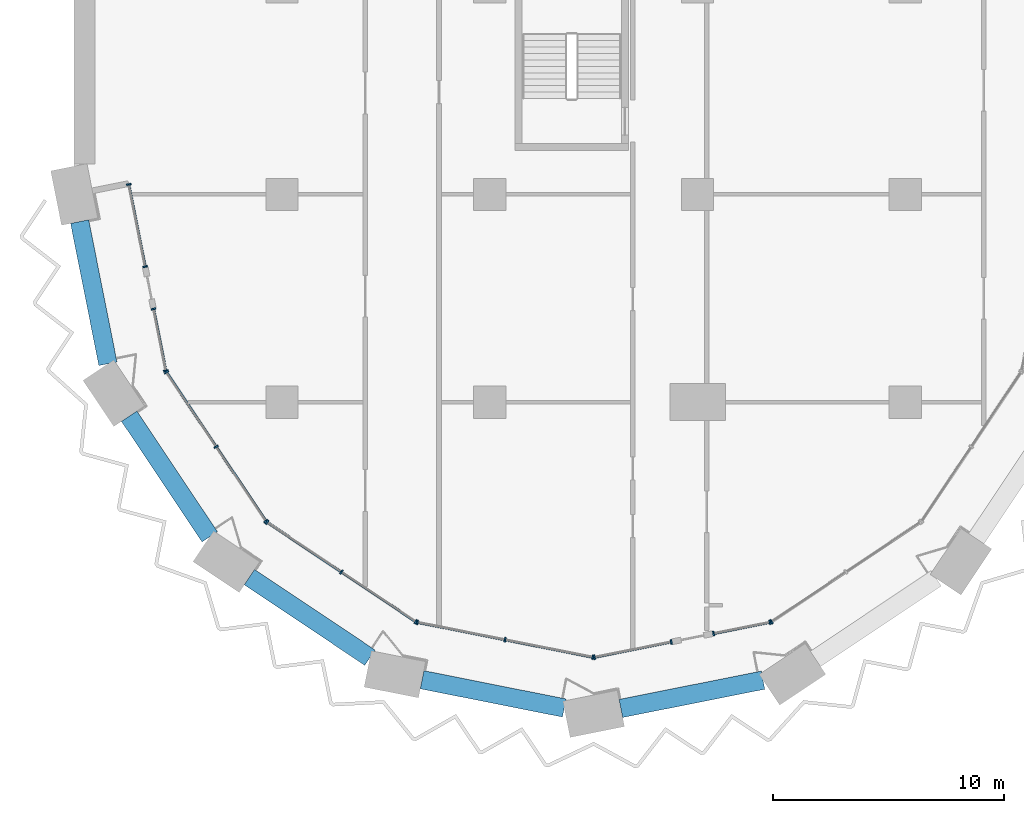
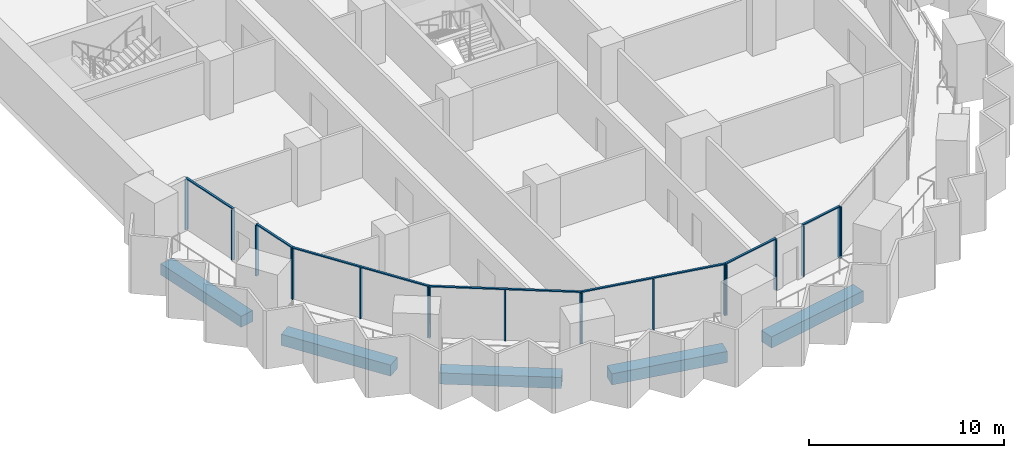
# One storey, part 2 of 28: 25 members, 5 beams, 8 elements without a shape of their own.
"""IFC4 building model written with IfcOpenShell, lengths in metres."""

from ifc_helpers import new_model, si_unit, direction, frame, origin, origin_2d, place, context, subcontext, project, spatial, rectangle, extrude, material, material_profile, profile_set, type_object, element, aggregate, save


model = new_model("IFC4")

# Units and contexts
model_context = context("Model", 3, precision=1e-05, world=origin(), true_north=direction((0.0, 1.0)))
body_context = subcontext(model_context, "Body", "Model", "MODEL_VIEW")
ifc_project = project(units=[si_unit("LENGTHUNIT", "METRE"), si_unit("AREAUNIT", "SQUARE_METRE"), si_unit("VOLUMEUNIT", "CUBIC_METRE"), si_unit("PLANEANGLEUNIT", "RADIAN"), si_unit("MASSUNIT", "GRAM", prefix="KILO")], contexts=[model_context])

# Site, building, storey
site_placement = place(None, origin())
site = spatial("IfcSite", under=ifc_project, at=site_placement, CompositionType="ELEMENT")
building_placement = place(site_placement, origin())
building = spatial("IfcBuilding", under=site, at=building_placement, Name="Hunhe Ridgeline Campus", CompositionType="ELEMENT")
storey_placement = place(building_placement, frame((0.0, 0.0, 76.5)))
storey = spatial("IfcBuildingStorey", under=building, at=storey_placement, Name="L18", CompositionType="ELEMENT", Elevation=76.5)

# Curtain wall, members
ifc_material_1 = material(Name="Aluminium 6063", Category="aluminium")
curtain_wall_type = type_object("IfcCurtainWallType", Name="Curtain wall CW-5", PredefinedType="NOTDEFINED", material=ifc_material_1)
curtain_wall_1_placement = place(storey_placement, origin())
curtain_wall_1 = element("IfcCurtainWall", 1, at=curtain_wall_1_placement, inside=storey, type_object=curtain_wall_type, Name="Curtain wall 01", PredefinedType="NOTDEFINED")
ifc_material_profile_1 = material_profile(ifc_material_1, rectangle(XDim=0.199951171875, YDim=0.070068359375, at=origin_2d()))
ifc_profile_set_1 = profile_set([ifc_material_profile_1], Name="Aluminium 6063")
member_type_1 = type_object("IfcMemberType", Name="CW-5 aluminium mullion", PredefinedType="MULLION", material=ifc_profile_set_1)
member_1_placement = place(storey_placement, frame((2.361572265625, 27.434326171875, 0.0), z_axis=(0.0, 0.0, 1.0), x_axis=(0.980784284924, 0.195095326561, 0.0)))
member_1 = element("IfcMember", 2, at=member_1_placement, type_object=member_type_1, Name="CW-5 mullion 1", PredefinedType="MULLION", context=body_context, shape_type="SweptSolid", body=[
    extrude(rectangle(XDim=0.199951171875, YDim=0.070068359375, at=origin_2d()), origin(), (0.0, 0.0, 1.0), 3.179931640625),
])
member_2_placement = place(storey_placement, frame((3.070068359375, 23.873291015625, 0.0), z_axis=(0.0, 0.0, 1.0), x_axis=(0.980784284924, 0.195095326561, 0.0)))
member_2 = element("IfcMember", 3, at=member_2_placement, type_object=member_type_1, Name="CW-5 mullion 2", PredefinedType="MULLION", context=body_context, shape_type="SweptSolid", body=[
    extrude(rectangle(XDim=0.199951171875, YDim=0.070068359375, at=origin_2d()), origin(), (0.0, 0.0, 1.0), 3.179931640625),
])

curtain_wall_2_placement = place(storey_placement, origin())
curtain_wall_2 = element("IfcCurtainWall", 4, at=curtain_wall_2_placement, inside=storey, type_object=curtain_wall_type, Name="Curtain wall 02", PredefinedType="NOTDEFINED")
member_3_placement = place(storey_placement, frame((3.434814453125, 22.0390625, 0.0), z_axis=(0.0, 0.0, 1.0), x_axis=(0.980784297053, 0.195095265587, 0.0)))
member_3 = element("IfcMember", 5, at=member_3_placement, type_object=member_type_1, Name="CW-5 mullion 1", PredefinedType="MULLION", context=body_context, shape_type="SweptSolid", body=[
    extrude(rectangle(XDim=0.199951171875, YDim=0.070068359375, at=origin_2d()), origin(), (0.0, 0.0, 1.0), 3.179931640625),
])
member_4_placement = place(storey_placement, frame((3.967529296875, 19.36083984375, 0.0), z_axis=(0.0, 0.0, 1.0), x_axis=(0.980784297053, 0.195095265587, 0.0)))
member_4 = element("IfcMember", 6, at=member_4_placement, type_object=member_type_1, Name="CW-5 mullion 2", PredefinedType="MULLION", context=body_context, shape_type="SweptSolid", body=[
    extrude(rectangle(XDim=0.199951171875, YDim=0.070068359375, at=origin_2d()), origin(), (0.0, 0.0, 1.0), 3.179931640625),
])

curtain_wall_3_placement = place(storey_placement, origin())
curtain_wall_3 = element("IfcCurtainWall", 7, at=curtain_wall_3_placement, inside=storey, type_object=curtain_wall_type, Name="Curtain wall 03", PredefinedType="NOTDEFINED")
member_5_placement = place(storey_placement, frame((3.993896484375, 19.29736328125, 0.0), z_axis=(0.0, 0.0, 1.0), x_axis=(0.831469584522, 0.555570274596, 0.0)))
member_5 = element("IfcMember", 8, at=member_5_placement, type_object=member_type_1, Name="CW-5 mullion 1", PredefinedType="MULLION", context=body_context, shape_type="SweptSolid", body=[
    extrude(rectangle(XDim=0.199951171875, YDim=0.070068359375, at=origin_2d()), origin(), (0.0, 0.0, 1.0), 3.179931640625),
])
member_6_placement = place(storey_placement, frame((6.147705078125, 16.07373046875, 0.0), z_axis=(0.0, 0.0, 1.0), x_axis=(0.831469584522, 0.555570274596, 0.0)))
member_6 = element("IfcMember", 9, at=member_6_placement, type_object=member_type_1, Name="CW-5 mullion 2", PredefinedType="MULLION", context=body_context, shape_type="SweptSolid", body=[
    extrude(rectangle(XDim=0.199951171875, YDim=0.070068359375, at=origin_2d()), origin(), (0.0, 0.0, 1.0), 3.179931640625),
])
member_7_placement = place(storey_placement, frame((8.3017578125, 12.850341796875, 0.0), z_axis=(0.0, 0.0, 1.0), x_axis=(0.831469584522, 0.555570274596, 0.0)))
member_7 = element("IfcMember", 10, at=member_7_placement, type_object=member_type_1, Name="CW-5 mullion 3", PredefinedType="MULLION", context=body_context, shape_type="SweptSolid", body=[
    extrude(rectangle(XDim=0.199951171875, YDim=0.070068359375, at=origin_2d()), origin(), (0.0, 0.0, 1.0), 3.179931640625),
])

curtain_wall_4_placement = place(storey_placement, origin())
curtain_wall_4 = element("IfcCurtainWall", 11, at=curtain_wall_4_placement, inside=storey, type_object=curtain_wall_type, Name="Curtain wall 04", PredefinedType="NOTDEFINED")
member_8_placement = place(storey_placement, frame((8.350341796875, 12.8017578125, 0.0), z_axis=(0.0, 0.0, 1.0), x_axis=(0.555570274596, 0.831469584522, 0.0)))
member_8 = element("IfcMember", 12, at=member_8_placement, type_object=member_type_1, Name="CW-5 mullion 1", PredefinedType="MULLION", context=body_context, shape_type="SweptSolid", body=[
    extrude(rectangle(XDim=0.199951171875, YDim=0.070068359375, at=origin_2d()), origin(), (0.0, 0.0, 1.0), 3.179931640625),
])
member_9_placement = place(storey_placement, frame((11.57373046875, 10.647705078125, 0.0), z_axis=(0.0, 0.0, 1.0), x_axis=(0.555570274596, 0.831469584522, 0.0)))
member_9 = element("IfcMember", 13, at=member_9_placement, type_object=member_type_1, Name="CW-5 mullion 2", PredefinedType="MULLION", context=body_context, shape_type="SweptSolid", body=[
    extrude(rectangle(XDim=0.199951171875, YDim=0.070068359375, at=origin_2d()), origin(), (0.0, 0.0, 1.0), 3.179931640625),
])
member_10_placement = place(storey_placement, frame((14.79736328125, 8.493896484375, 0.0), z_axis=(0.0, 0.0, 1.0), x_axis=(0.555570274596, 0.831469584522, 0.0)))
member_10 = element("IfcMember", 14, at=member_10_placement, type_object=member_type_1, Name="CW-5 mullion 3", PredefinedType="MULLION", context=body_context, shape_type="SweptSolid", body=[
    extrude(rectangle(XDim=0.199951171875, YDim=0.070068359375, at=origin_2d()), origin(), (0.0, 0.0, 1.0), 3.179931640625),
])

curtain_wall_5_placement = place(storey_placement, origin())
curtain_wall_5 = element("IfcCurtainWall", 15, at=curtain_wall_5_placement, inside=storey, type_object=curtain_wall_type, Name="Curtain wall 05", PredefinedType="NOTDEFINED")
member_11_placement = place(storey_placement, frame((14.86083984375, 8.467529296875, 0.0), z_axis=(0.0, 0.0, 1.0), x_axis=(0.195090347539, 0.980785275326, 0.0)))
member_11 = element("IfcMember", 16, at=member_11_placement, type_object=member_type_1, Name="CW-5 mullion 1", PredefinedType="MULLION", context=body_context, shape_type="SweptSolid", body=[
    extrude(rectangle(XDim=0.199951171875, YDim=0.070068359375, at=origin_2d()), origin(), (0.0, 0.0, 1.0), 3.179931640625),
])
member_12_placement = place(storey_placement, frame((18.663330078125, 7.711181640625, 0.0), z_axis=(0.0, 0.0, 1.0), x_axis=(0.195090347539, 0.980785275326, 0.0)))
member_12 = element("IfcMember", 17, at=member_12_placement, type_object=member_type_1, Name="CW-5 mullion 2", PredefinedType="MULLION", context=body_context, shape_type="SweptSolid", body=[
    extrude(rectangle(XDim=0.199951171875, YDim=0.070068359375, at=origin_2d()), origin(), (0.0, 0.0, 1.0), 3.179931640625),
])
member_13_placement = place(storey_placement, frame((22.465576171875, 6.954833984375, 0.0), z_axis=(0.0, 0.0, 1.0), x_axis=(0.195090347539, 0.980785275326, 0.0)))
member_13 = element("IfcMember", 18, at=member_13_placement, type_object=member_type_1, Name="CW-5 mullion 3", PredefinedType="MULLION", context=body_context, shape_type="SweptSolid", body=[
    extrude(rectangle(XDim=0.199951171875, YDim=0.070068359375, at=origin_2d()), origin(), (0.0, 0.0, 1.0), 3.179931640625),
])

curtain_wall_6_placement = place(storey_placement, origin())
curtain_wall_6 = element("IfcCurtainWall", 19, at=curtain_wall_6_placement, inside=storey, type_object=curtain_wall_type, Name="Curtain wall 06", PredefinedType="NOTDEFINED")
member_14_placement = place(storey_placement, frame((22.534423828125, 6.954833984375, 0.0), z_axis=(0.0, 0.0, 1.0), x_axis=(-0.19509037034, 0.980785270791, 0.0)))
member_14 = element("IfcMember", 20, at=member_14_placement, type_object=member_type_1, Name="CW-5 mullion 1", PredefinedType="MULLION", context=body_context, shape_type="SweptSolid", body=[
    extrude(rectangle(XDim=0.199951171875, YDim=0.070068359375, at=origin_2d()), origin(), (0.0, 0.0, 1.0), 3.179931640625),
])
member_15_placement = place(storey_placement, frame((25.861083984375, 7.61669921875, 0.0), z_axis=(0.0, 0.0, 1.0), x_axis=(-0.19509037034, 0.980785270791, 0.0)))
member_15 = element("IfcMember", 21, at=member_15_placement, type_object=member_type_1, Name="CW-5 mullion 2", PredefinedType="MULLION", context=body_context, shape_type="SweptSolid", body=[
    extrude(rectangle(XDim=0.199951171875, YDim=0.070068359375, at=origin_2d()), origin(), (0.0, 0.0, 1.0), 3.179931640625),
])

curtain_wall_7_placement = place(storey_placement, origin())
curtain_wall_7 = element("IfcCurtainWall", 22, at=curtain_wall_7_placement, inside=storey, type_object=curtain_wall_type, Name="Curtain wall 07", PredefinedType="NOTDEFINED")
member_16_placement = place(storey_placement, frame((27.695068359375, 7.9814453125, 0.0), z_axis=(0.0, 0.0, 1.0), x_axis=(-0.195090514627, 0.980785242091, 0.0)))
member_16 = element("IfcMember", 23, at=member_16_placement, type_object=member_type_1, Name="CW-5 mullion 1", PredefinedType="MULLION", context=body_context, shape_type="SweptSolid", body=[
    extrude(rectangle(XDim=0.199951171875, YDim=0.070068359375, at=origin_2d()), origin(), (0.0, 0.0, 1.0), 3.179931640625),
])
member_17_placement = place(storey_placement, frame((30.13916015625, 8.467529296875, 0.0), z_axis=(0.0, 0.0, 1.0), x_axis=(-0.195090514627, 0.980785242091, 0.0)))
member_17 = element("IfcMember", 24, at=member_17_placement, type_object=member_type_1, Name="CW-5 mullion 2", PredefinedType="MULLION", context=body_context, shape_type="SweptSolid", body=[
    extrude(rectangle(XDim=0.199951171875, YDim=0.070068359375, at=origin_2d()), origin(), (0.0, 0.0, 1.0), 3.179931640625),
])

# Curtain wall, member
curtain_wall_8_placement = place(storey_placement, origin())
curtain_wall_8 = element("IfcCurtainWall", 25, at=curtain_wall_8_placement, inside=storey, type_object=curtain_wall_type, Name="Curtain wall 08", PredefinedType="NOTDEFINED")
member_18_placement = place(storey_placement, frame((30.20263671875, 8.493896484375, 0.0), z_axis=(0.0, 0.0, 1.0), x_axis=(-0.555570274596, 0.831469584522, 0.0)))
member_18 = element("IfcMember", 26, at=member_18_placement, type_object=member_type_1, Name="CW-5 mullion 1", PredefinedType="MULLION", context=body_context, shape_type="SweptSolid", body=[
    extrude(rectangle(XDim=0.199951171875, YDim=0.070068359375, at=origin_2d()), origin(), (0.0, 0.0, 1.0), 3.179931640625),
])
aggregate(curtain_wall_8, [member_18])

# Member
ifc_material_profile_2 = material_profile(ifc_material_1, rectangle(XDim=0.1201171875, YDim=0.070068359375, at=origin_2d()))
ifc_profile_set_2 = profile_set([ifc_material_profile_2], Name="Aluminium 6063")
member_type_2 = type_object("IfcMemberType", Name="CW-5 aluminium transom", PredefinedType="USERDEFINED", material=ifc_profile_set_2)
member_19_placement = place(storey_placement, frame((2.354736328125, 27.46875, 3.215087890625), z_axis=(0.195126549745, -0.980778073564, 0.0), x_axis=(0.980778073564, 0.195126549745, 0.0)))
member_19 = element("IfcMember", 27, at=member_19_placement, type_object=member_type_2, Name="CW-5 transom 1", ObjectType="TRANSOM", PredefinedType="USERDEFINED", context=body_context, shape_type="SweptSolid", body=[
    extrude(rectangle(XDim=0.1201171875, YDim=0.070068359375, at=origin_2d()), origin(), (0.0, 0.0, 1.0), 3.700927734375),
])

aggregate(curtain_wall_1, [member_19, member_1, member_2])

member_20_placement = place(storey_placement, frame((3.427978515625, 22.073486328125, 3.215087890625), z_axis=(0.195076742145, -0.98078798151, 0.0), x_axis=(0.98078798151, 0.195076742145, 0.0)))
member_20 = element("IfcMember", 28, at=member_20_placement, type_object=member_type_2, Name="CW-5 transom 1", ObjectType="TRANSOM", PredefinedType="USERDEFINED", context=body_context, shape_type="SweptSolid", body=[
    extrude(rectangle(XDim=0.1201171875, YDim=0.070068359375, at=origin_2d()), origin(), (0.0, 0.0, 1.0), 2.80078125),
])

aggregate(curtain_wall_2, [member_20, member_3, member_4])

member_21_placement = place(storey_placement, frame((3.974365234375, 19.326416015625, 3.215087890625), z_axis=(0.5555640203, -0.831473763475, 0.0), x_axis=(0.831473763475, 0.5555640203, 0.0)))
member_21 = element("IfcMember", 29, at=member_21_placement, type_object=member_type_2, Name="CW-5 transom 1", ObjectType="TRANSOM", PredefinedType="USERDEFINED", context=body_context, shape_type="SweptSolid", body=[
    extrude(rectangle(XDim=0.1201171875, YDim=0.070068359375, at=origin_2d()), origin(), (0.0, 0.0, 1.0), 7.823974609375),
])

aggregate(curtain_wall_3, [member_21, member_5, member_6, member_7])

member_22_placement = place(storey_placement, frame((8.321044921875, 12.821044921875, 3.215087890625), z_axis=(0.831473763475, -0.5555640203, 0.0), x_axis=(0.5555640203, 0.831473763475, 0.0)))
member_22 = element("IfcMember", 30, at=member_22_placement, type_object=member_type_2, Name="CW-5 transom 1", ObjectType="TRANSOM", PredefinedType="USERDEFINED", context=body_context, shape_type="SweptSolid", body=[
    extrude(rectangle(XDim=0.1201171875, YDim=0.070068359375, at=origin_2d()), origin(), (0.0, 0.0, 1.0), 7.823974609375),
])

aggregate(curtain_wall_4, [member_22, member_8, member_9, member_10])

member_23_placement = place(storey_placement, frame((14.826416015625, 8.474365234375, 3.215087890625), z_axis=(0.980785367689, -0.195089883198, 0.0), x_axis=(0.195089883198, 0.980785367689, 0.0)))
member_23 = element("IfcMember", 31, at=member_23_placement, type_object=member_type_2, Name="CW-5 transom 1", ObjectType="TRANSOM", PredefinedType="USERDEFINED", context=body_context, shape_type="SweptSolid", body=[
    extrude(rectangle(XDim=0.1201171875, YDim=0.070068359375, at=origin_2d()), origin(), (0.0, 0.0, 1.0), 7.823974609375),
])

aggregate(curtain_wall_5, [member_23, member_11, member_12, member_13])

member_24_placement = place(storey_placement, frame((22.5, 6.947998046875, 3.215087890625), z_axis=(0.980778171596, 0.195126057004, 0.0), x_axis=(-0.195126057004, 0.980778171596, 0.0)))
member_24 = element("IfcMember", 32, at=member_24_placement, type_object=member_type_2, Name="CW-5 transom 1", ObjectType="TRANSOM", PredefinedType="USERDEFINED", context=body_context, shape_type="SweptSolid", body=[
    extrude(rectangle(XDim=0.1201171875, YDim=0.070068359375, at=origin_2d()), origin(), (0.0, 0.0, 1.0), 3.462158203125),
])

aggregate(curtain_wall_6, [member_24, member_14, member_15])

member_25_placement = place(storey_placement, frame((27.660888671875, 7.974609375, 3.215087890625), z_axis=(0.980789038007, 0.195071430315, 0.0), x_axis=(-0.195071430315, 0.980789038007, 0.0)))
member_25 = element("IfcMember", 33, at=member_25_placement, type_object=member_type_2, Name="CW-5 transom 1", ObjectType="TRANSOM", PredefinedType="USERDEFINED", context=body_context, shape_type="SweptSolid", body=[
    extrude(rectangle(XDim=0.1201171875, YDim=0.070068359375, at=origin_2d()), origin(), (0.0, 0.0, 1.0), 2.56201171875),
])

aggregate(curtain_wall_7, [member_25, member_16, member_17])

# Beams
ifc_material_2 = material(Name="Concrete C60", Category="concrete")
ifc_material_profile_3 = material_profile(ifc_material_2, rectangle(XDim=0.800048828125, YDim=0.699951171875, at=origin_2d()))
ifc_profile_set_3 = profile_set([ifc_material_profile_3], Name="Concrete C60")
beam_type = type_object("IfcBeamType", Name="RC spandrel beam 800x700 Concrete C60", PredefinedType="SPANDREL", material=ifc_profile_set_3)
for number, where, z_axis, x_axis, name in (
    (34, (0.234130859375, 25.822998046875, -0.60009765625), (0.195076855144, -0.980787959034, 0.0), (0.980787959034, 0.195076855144, 0.0), "Spandrel beam B1-1 L18"),
    (35, (2.37939453125, 17.391845703125, -0.60009765625), (0.555570106491, -0.831469696846, 0.0), (0.831469696846, 0.555570106491, 0.0), "Spandrel beam B1-2 L18"),
    (36, (7.587890625, 10.42333984375, -0.60009765625), (0.831469696846, -0.555570106491, 0.0), (0.555570106491, 0.831469696846, 0.0), "Spandrel beam B1-3 L18"),
    (37, (15.066650390625, 5.978515625, -0.60009765625), (0.980787959034, -0.195076855144, 0.0), (0.195076855144, 0.980787959034, 0.0), "Spandrel beam B1-4 L18"),
    (38, (23.677001953125, 4.734130859375, -0.60009765625), (0.980787959034, 0.195076855144, 0.0), (-0.195076855144, 0.980787959034, 0.0), "Spandrel beam B1-5 L18"),
):
    element("IfcBeam", number, at=place(storey_placement, frame(where, z_axis=z_axis, x_axis=x_axis)), inside=storey, type_object=beam_type, Name=name, PredefinedType="SPANDREL", context=body_context, shape_type="SweptSolid", body=[
        extrude(rectangle(XDim=0.800048828125, YDim=0.699951171875, at=origin_2d()), origin(), (0.0, 0.0, 1.0), 6.280029296875),
    ])

save(model, "model.ifc")
